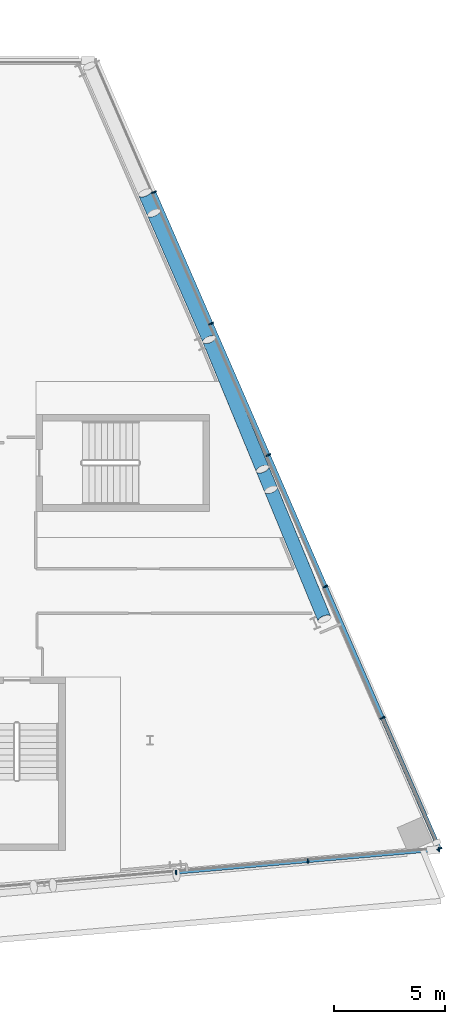
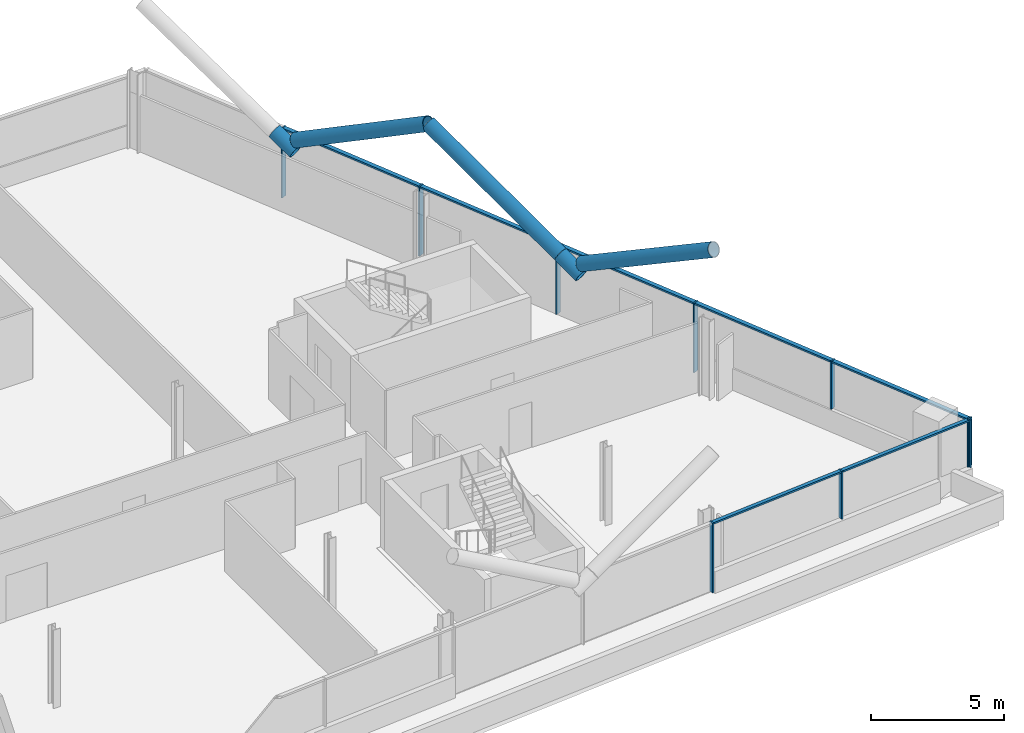
# One storey, part 9 of 27: 21 members, 2 elements without a shape of their own.
"""IFC4 building model written with IfcOpenShell, lengths in metres."""

from ifc_helpers import new_model, si_unit, direction, frame, origin, origin_2d, place, context, subcontext, project, spatial, rectangle, hollow_circle, extrude, material, material_profile, profile_set, type_object, element, aggregate, save


model = new_model("IFC4")

# Units and contexts
model_context = context("Model", 3, precision=1e-05, world=origin(), true_north=direction((0.0, 1.0)))
body_context = subcontext(model_context, "Body", "Model", "MODEL_VIEW")
ifc_project = project(units=[si_unit("LENGTHUNIT", "METRE"), si_unit("AREAUNIT", "SQUARE_METRE"), si_unit("VOLUMEUNIT", "CUBIC_METRE"), si_unit("PLANEANGLEUNIT", "RADIAN"), si_unit("MASSUNIT", "GRAM", prefix="KILO")], contexts=[model_context])

# Site, building, storey
site_placement = place(None, origin())
site = spatial("IfcSite", under=ifc_project, at=site_placement, CompositionType="ELEMENT")
building_placement = place(site_placement, origin())
building = spatial("IfcBuilding", under=site, at=building_placement, Name="Wharfspan Tower", CompositionType="ELEMENT")
storey_placement = place(building_placement, frame((0.0, 0.0, 207.100098)))
storey = spatial("IfcBuildingStorey", under=building, at=storey_placement, Name="L51", CompositionType="ELEMENT", Elevation=207.100098)

# Members
ifc_material_1 = material(Name="Steel S460NH", Category="steel")
ifc_material_profile_1 = material_profile(ifc_material_1, hollow_circle(Radius=0.304932, WallThickness=0.024902, at=origin_2d()))
ifc_profile_set_1 = profile_set([ifc_material_profile_1], Name="Steel S460NH")
member_type_1 = type_object("IfcMemberType", Name="Brace node tie CHS 610x25", PredefinedType="STRUT", material=ifc_profile_set_1)
member_1_placement = place(storey_placement, frame((77.428711, 22.752441, 2.637207), z_axis=(-0.337127, 0.81634, 0.468971), x_axis=(-0.924287, -0.381708, 3e-06)))
element("IfcMember", 1, at=member_1_placement, inside=storey, type_object=member_type_1, Name="Brace node tie L51 E5", PredefinedType="STRUT", context=body_context, shape_type="SweptSolid", body=[
    extrude(hollow_circle(Radius=0.304932, WallThickness=0.024902, at=origin_2d()), origin(), (0.0, 0.0, 1.0), 1.120361),
])
member_2_placement = place(storey_placement, frame((72.163818, 35.168213, 2.637939), z_axis=(-0.35292, 0.807084, 0.473354), x_axis=(-0.916236, -0.400648, -3e-06)))
element("IfcMember", 2, at=member_2_placement, inside=storey, type_object=member_type_1, Name="Brace node tie L51 E6", PredefinedType="STRUT", context=body_context, shape_type="SweptSolid", body=[
    extrude(hollow_circle(Radius=0.304932, WallThickness=0.024902, at=origin_2d()), origin(), (0.0, 0.0, 1.0), 1.106934),
])

# Curtain wall, members
ifc_material_2 = material(Name="Aluminium 6063-T6", Category="aluminium")
curtain_wall_type_1 = type_object("IfcCurtainWallType", Name="CURTAIN WALL FACETED FRONT", PredefinedType="NOTDEFINED", material=ifc_material_2)
curtain_wall_1_placement = place(storey_placement, origin())
curtain_wall_1 = element("IfcCurtainWall", 3, at=curtain_wall_1_placement, inside=storey, type_object=curtain_wall_type_1, Name="Curtain wall S2", PredefinedType="NOTDEFINED")
ifc_material_profile_2 = material_profile(ifc_material_2, rectangle(XDim=0.199951, YDim=0.060059, at=origin_2d()))
ifc_profile_set_2 = profile_set([ifc_material_profile_2], Name="Aluminium 6063-T6")
member_type_2 = type_object("IfcMemberType", Name="MULLION FACETED FRONT 60x200", PredefinedType="MULLION", material=ifc_profile_set_2)
member_3_placement = place(storey_placement, frame((73.166748, 5.564697, 0.0), z_axis=(0.0, 0.0, 1.0), x_axis=(-0.087156, 0.996197, 0.0)))
member_3 = element("IfcMember", 4, at=member_3_placement, type_object=member_type_2, Name="Curtain wall S2 mullion 5", PredefinedType="MULLION", context=body_context, shape_type="SweptSolid", body=[
    extrude(rectangle(XDim=0.199951, YDim=0.060059, at=origin_2d()), origin(), (0.0, 0.0, 1.0), 3.199951),
])
member_4_placement = place(storey_placement, frame((79.083252, 6.082275, 1.0), z_axis=(0.0, 0.0, 1.0), x_axis=(-0.087156, 0.996197, 0.0)))
member_4 = element("IfcMember", 5, at=member_4_placement, type_object=member_type_2, Name="Curtain wall S2 mullion 6", PredefinedType="MULLION", context=body_context, shape_type="SweptSolid", body=[
    extrude(rectangle(XDim=0.199951, YDim=0.060059, at=origin_2d()), origin(), (0.0, 0.0, 1.0), 2.199951),
])
member_5_placement = place(storey_placement, frame((84.970215, 6.597412, 1.0), z_axis=(0.0, 0.0, 1.0), x_axis=(-0.087156, 0.996197, 0.0)))
member_5 = element("IfcMember", 6, at=member_5_placement, type_object=member_type_2, Name="Curtain wall S2 mullion 7", PredefinedType="MULLION", context=body_context, shape_type="SweptSolid", body=[
    extrude(rectangle(XDim=0.199951, YDim=0.060059, at=origin_2d()), origin(), (0.0, 0.0, 1.0), 2.199951),
])

curtain_wall_type_2 = type_object("IfcCurtainWallType", Name="CURTAIN WALL PROW AND END", PredefinedType="NOTDEFINED", material=ifc_material_2)
curtain_wall_2_placement = place(storey_placement, origin())
curtain_wall_2 = element("IfcCurtainWall", 7, at=curtain_wall_2_placement, inside=storey, type_object=curtain_wall_type_2, Name="Curtain wall E", PredefinedType="NOTDEFINED")
ifc_material_profile_3 = material_profile(ifc_material_2, rectangle(XDim=0.23999, YDim=0.060059, at=origin_2d()))
ifc_profile_set_3 = profile_set([ifc_material_profile_3], Name="Aluminium 6063-T6")
member_type_3 = type_object("IfcMemberType", Name="MULLION PROW AND END 60x240", PredefinedType="MULLION", material=ifc_profile_set_3)
member_6_placement = place(storey_placement, frame((84.988037, 6.627441, 1.0), z_axis=(0.0, 0.0, 1.0), x_axis=(-0.917072, -0.398727, 0.0)))
member_6 = element("IfcMember", 8, at=member_6_placement, type_object=member_type_3, Name="Curtain wall E mullion 1", PredefinedType="MULLION", context=body_context, shape_type="SweptSolid", body=[
    extrude(rectangle(XDim=0.23999, YDim=0.060059, at=origin_2d()), origin(), (0.0, 0.0, 1.0), 2.199951),
])
member_7_placement = place(storey_placement, frame((82.434814, 12.5, 1.0), z_axis=(0.0, 0.0, 1.0), x_axis=(-0.917072, -0.398727, 0.0)))
member_7 = element("IfcMember", 9, at=member_7_placement, type_object=member_type_3, Name="Curtain wall E mullion 2", PredefinedType="MULLION", context=body_context, shape_type="SweptSolid", body=[
    extrude(rectangle(XDim=0.23999, YDim=0.060059, at=origin_2d()), origin(), (0.0, 0.0, 1.0), 2.199951),
])
member_8_placement = place(storey_placement, frame((79.869629, 18.399902, 0.0), z_axis=(0.0, 0.0, 1.0), x_axis=(-0.917072, -0.398727, 0.0)))
member_8 = element("IfcMember", 10, at=member_8_placement, type_object=member_type_3, Name="Curtain wall E mullion 3", PredefinedType="MULLION", context=body_context, shape_type="SweptSolid", body=[
    extrude(rectangle(XDim=0.23999, YDim=0.060059, at=origin_2d()), origin(), (0.0, 0.0, 1.0), 3.199951),
])
member_9_placement = place(storey_placement, frame((77.304443, 24.300049, 0.0), z_axis=(0.0, 0.0, 1.0), x_axis=(-0.917072, -0.398727, 0.0)))
member_9 = element("IfcMember", 11, at=member_9_placement, type_object=member_type_3, Name="Curtain wall E mullion 4", PredefinedType="MULLION", context=body_context, shape_type="SweptSolid", body=[
    extrude(rectangle(XDim=0.23999, YDim=0.060059, at=origin_2d()), origin(), (0.0, 0.0, 1.0), 3.199951),
])
member_10_placement = place(storey_placement, frame((74.739014, 30.199951, 0.0), z_axis=(0.0, 0.0, 1.0), x_axis=(-0.917072, -0.398727, 0.0)))
member_10 = element("IfcMember", 12, at=member_10_placement, type_object=member_type_3, Name="Curtain wall E mullion 5", PredefinedType="MULLION", context=body_context, shape_type="SweptSolid", body=[
    extrude(rectangle(XDim=0.23999, YDim=0.060059, at=origin_2d()), origin(), (0.0, 0.0, 1.0), 3.199951),
])
member_11_placement = place(storey_placement, frame((72.173828, 36.100098, 0.0), z_axis=(0.0, 0.0, 1.0), x_axis=(-0.917072, -0.398727, 0.0)))
member_11 = element("IfcMember", 13, at=member_11_placement, type_object=member_type_3, Name="Curtain wall E mullion 6", PredefinedType="MULLION", context=body_context, shape_type="SweptSolid", body=[
    extrude(rectangle(XDim=0.23999, YDim=0.060059, at=origin_2d()), origin(), (0.0, 0.0, 1.0), 3.199951),
])

# Members
ifc_material_profile_4 = material_profile(ifc_material_1, hollow_circle(Radius=0.304932, WallThickness=0.024902, at=origin_2d()))
ifc_profile_set_4 = profile_set([ifc_material_profile_4], Name="Steel S460NH")
member_type_4 = type_object("IfcMemberType", Name="Mega brace CHS 610x25", PredefinedType="BRACE", material=ifc_profile_set_4)
member_12_placement = place(storey_placement, frame((77.047607, 23.675049, 3.167236), z_axis=(-0.337032, 0.816367, 0.468993), x_axis=(-0.92433, -0.381605, 2e-06)))
element("IfcMember", 14, at=member_12_placement, inside=storey, type_object=member_type_4, Name="Mega brace E5 L51 part 2", PredefinedType="BRACE", context=body_context, shape_type="SweptSolid", body=[
    extrude(hollow_circle(Radius=0.304932, WallThickness=0.024902, at=origin_2d()), origin(), (0.0, 0.0, 1.0), 7.106201),
])
member_13_placement = place(storey_placement, frame((77.431885, 22.744141, 3.167236), z_axis=(0.337042, -0.816355, 0.469007), x_axis=(0.924324, 0.381616, -4e-06)))
element("IfcMember", 15, at=member_13_placement, inside=storey, type_object=member_type_4, Name="Mega brace E5 L51 part 4", PredefinedType="BRACE", context=body_context, shape_type="SweptSolid", body=[
    extrude(hollow_circle(Radius=0.304932, WallThickness=0.024902, at=origin_2d()), origin(), (0.0, 0.0, 1.0), 7.105957),
])
member_14_placement = place(storey_placement, frame((72.16748, 35.160156, 3.166504), z_axis=(0.352883, -0.8071, 0.473353), x_axis=(0.916253, 0.400609, 3e-06)))
element("IfcMember", 16, at=member_14_placement, inside=storey, type_object=member_type_4, Name="Mega brace E6 L51 part 4", PredefinedType="BRACE", context=body_context, shape_type="SweptSolid", body=[
    extrude(hollow_circle(Radius=0.304932, WallThickness=0.024902, at=origin_2d()), origin(), (0.0, 0.0, 1.0), 7.042236),
])

# Member
ifc_material_profile_5 = material_profile(ifc_material_2, rectangle(XDim=0.159912, YDim=0.080078, at=origin_2d()))
ifc_profile_set_5 = profile_set([ifc_material_profile_5], Name="Aluminium 6063-T6")
member_type_5 = type_object("IfcMemberType", Name="TRANSOM FACETED FRONT 80x160", PredefinedType="USERDEFINED", material=ifc_profile_set_5)
member_15_placement = place(storey_placement, frame((73.196533, 5.567383, 3.159912), z_axis=(0.996194, 0.087162, 0.0), x_axis=(-0.087162, 0.996194, 0.0)))
member_15 = element("IfcMember", 17, at=member_15_placement, type_object=member_type_5, Name="Curtain wall S2 transom 5", ObjectType="TRANSOM", PredefinedType="USERDEFINED", context=body_context, shape_type="SweptSolid", body=[
    extrude(rectangle(XDim=0.159912, YDim=0.080078, at=origin_2d()), origin(), (0.0, 0.0, 1.0), 5.879395),
])

member_16_placement = place(storey_placement, frame((79.113281, 6.084961, 3.159912), z_axis=(0.996195, 0.087152, 0.0), x_axis=(-0.087152, 0.996195, 0.0)))
member_16 = element("IfcMember", 18, at=member_16_placement, type_object=member_type_5, Name="Curtain wall S2 transom 6", ObjectType="TRANSOM", PredefinedType="USERDEFINED", context=body_context, shape_type="SweptSolid", body=[
    extrude(rectangle(XDim=0.159912, YDim=0.080078, at=origin_2d()), origin(), (0.0, 0.0, 1.0), 5.849121),
])

aggregate(curtain_wall_1, [member_3, member_4, member_5, member_15, member_16])

ifc_material_profile_6 = material_profile(ifc_material_2, rectangle(XDim=0.179932, YDim=0.080078, at=origin_2d()))
ifc_profile_set_6 = profile_set([ifc_material_profile_6], Name="Aluminium 6063-T6")
member_type_6 = type_object("IfcMemberType", Name="TRANSOM PROW AND END 80x180", PredefinedType="USERDEFINED", material=ifc_profile_set_6)
member_17_placement = place(storey_placement, frame((84.976074, 6.655029, 3.159912), z_axis=(-0.398726, 0.91707, 0.0), x_axis=(-0.91707, -0.398726, 0.0)))
member_17 = element("IfcMember", 19, at=member_17_placement, type_object=member_type_6, Name="Curtain wall E transom 1", ObjectType="TRANSOM", PredefinedType="USERDEFINED", context=body_context, shape_type="SweptSolid", body=[
    extrude(rectangle(XDim=0.179932, YDim=0.080078, at=origin_2d()), origin(), (0.0, 0.0, 1.0), 6.343506),
])

member_18_placement = place(storey_placement, frame((82.422852, 12.527588, 3.159912), z_axis=(-0.398722, 0.917072, 0.0), x_axis=(-0.917072, -0.398722, 0.0)))
member_18 = element("IfcMember", 20, at=member_18_placement, type_object=member_type_6, Name="Curtain wall E transom 2", ObjectType="TRANSOM", PredefinedType="USERDEFINED", context=body_context, shape_type="SweptSolid", body=[
    extrude(rectangle(XDim=0.179932, YDim=0.080078, at=origin_2d()), origin(), (0.0, 0.0, 1.0), 6.373535),
])

member_19_placement = place(storey_placement, frame((79.857666, 18.42749, 3.159912), z_axis=(-0.398722, 0.917072, 0.0), x_axis=(-0.917072, -0.398722, 0.0)))
member_19 = element("IfcMember", 21, at=member_19_placement, type_object=member_type_6, Name="Curtain wall E transom 3", ObjectType="TRANSOM", PredefinedType="USERDEFINED", context=body_context, shape_type="SweptSolid", body=[
    extrude(rectangle(XDim=0.179932, YDim=0.080078, at=origin_2d()), origin(), (0.0, 0.0, 1.0), 6.373535),
])

member_20_placement = place(storey_placement, frame((77.29248, 24.327393, 3.159912), z_axis=(-0.39874, 0.917064, 0.0), x_axis=(-0.917064, -0.39874, 0.0)))
member_20 = element("IfcMember", 22, at=member_20_placement, type_object=member_type_6, Name="Curtain wall E transom 4", ObjectType="TRANSOM", PredefinedType="USERDEFINED", context=body_context, shape_type="SweptSolid", body=[
    extrude(rectangle(XDim=0.179932, YDim=0.080078, at=origin_2d()), origin(), (0.0, 0.0, 1.0), 6.373779),
])

member_21_placement = place(storey_placement, frame((74.727051, 30.227539, 3.159912), z_axis=(-0.398722, 0.917072, 0.0), x_axis=(-0.917072, -0.398722, 0.0)))
member_21 = element("IfcMember", 23, at=member_21_placement, type_object=member_type_6, Name="Curtain wall E transom 5", ObjectType="TRANSOM", PredefinedType="USERDEFINED", context=body_context, shape_type="SweptSolid", body=[
    extrude(rectangle(XDim=0.179932, YDim=0.080078, at=origin_2d()), origin(), (0.0, 0.0, 1.0), 6.373535),
])

aggregate(curtain_wall_2, [member_6, member_7, member_8, member_9, member_10, member_11, member_17, member_18, member_19, member_20, member_21])

save(model, "model.ifc")
